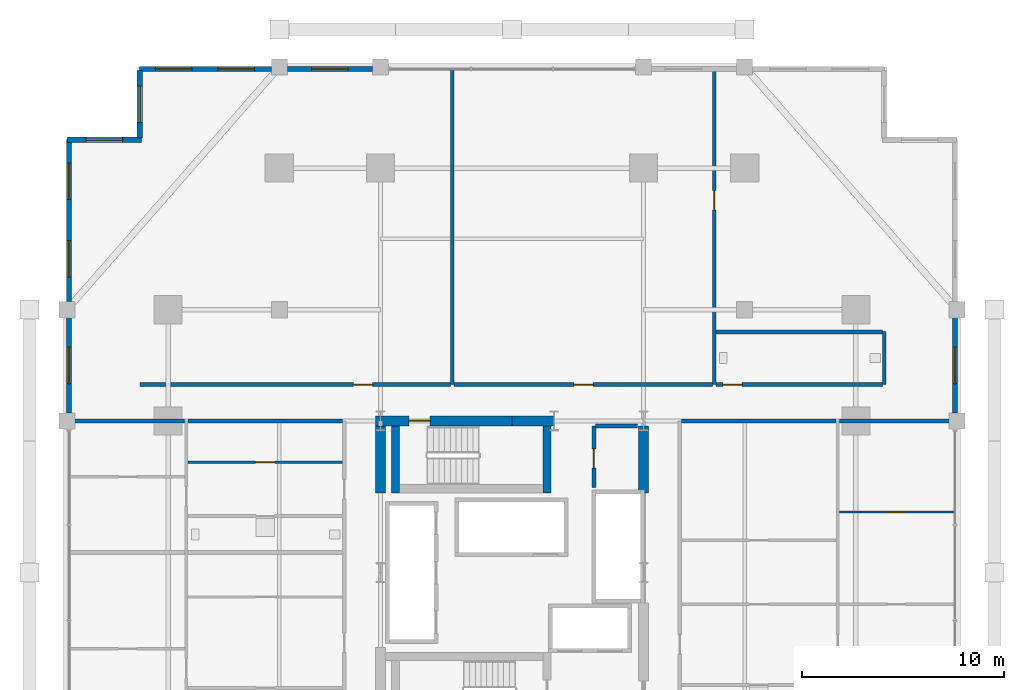
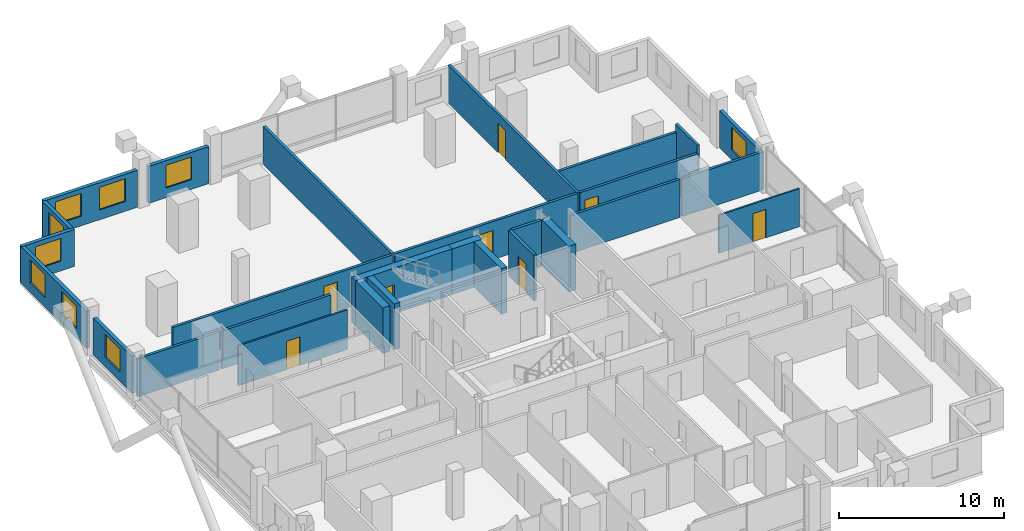
# One storey, part 20 of 23: 28 walls, 9 windows, 8 doors, 17 openings.
"""IFC4 building model written with IfcOpenShell, lengths in metres."""

from ifc_helpers import new_model, si_unit, direction, frame, frame_2d, origin, place, context, subcontext, project, spatial, rectangle, extrude, material, layer, layer_set, type_object, element, fill, save


model = new_model("IFC4")

# Units and contexts
model_context = context("Model", 3, precision=1e-05, world=origin(), true_north=direction((0.0, 1.0)))
body_context = subcontext(model_context, "Body", "Model", "MODEL_VIEW")
ifc_project = project(units=[si_unit("LENGTHUNIT", "METRE"), si_unit("AREAUNIT", "SQUARE_METRE"), si_unit("VOLUMEUNIT", "CUBIC_METRE"), si_unit("PLANEANGLEUNIT", "RADIAN"), si_unit("MASSUNIT", "GRAM", prefix="KILO")], contexts=[model_context])

# Site, building, storey
site_placement = place(None, origin())
site = spatial("IfcSite", under=ifc_project, at=site_placement, CompositionType="ELEMENT")
building_placement = place(site_placement, origin())
building = spatial("IfcBuilding", under=site, at=building_placement, Name="Barlavira Tower and Art Museum", CompositionType="ELEMENT")
storey_placement = place(building_placement, frame((0.0, 0.0, 36.0)))
storey = spatial("IfcBuildingStorey", under=building, at=storey_placement, Name="L07", CompositionType="ELEMENT", Elevation=36.0)

# Wall, opening, door
ifc_material_1 = material(Name="Gypsum acoustic stud partition", Category="gypsum")
ifc_layer_1 = layer(ifc_material_1, 0.1201171875, Name="Gypsum acoustic stud partition")
ifc_layer_set_1 = layer_set([ifc_layer_1], Name="Gypsum acoustic stud partition")
wall_type_1 = type_object("IfcWallType", Name="Apartment Internal Acoustic Partition 120", PredefinedType="PARTITIONING", material=ifc_layer_set_1)
wall_1_placement = place(storey_placement, frame((16.179931640625, 3.0, 0.0), z_axis=(0.0, 0.0, 1.0), x_axis=(1.0, 0.0, 0.0)))
wall_1 = element("IfcWall", 1, at=wall_1_placement, inside=storey, type_object=wall_type_1, Name="L07 Partition Wall 54", PredefinedType="PARTITIONING", context=body_context, shape_type="SweptSolid", body=[
    extrude(rectangle(XDim=5.64013671875, YDim=0.1201171875, at=frame_2d((2.820068359375, 0.0))), origin(), (0.0, 0.0, 1.0), 2.81591796875),
])
opening_1_placement = place(wall_1_placement, frame((2.3701171875, 0.0, 0.0)))
opening_1 = element("IfcOpeningElement", 2, at=opening_1_placement, cuts=wall_1, Name="Opening D-01", PredefinedType="OPENING", context=body_context, shape_type="SweptSolid", body=[
    extrude(rectangle(XDim=0.89990234375, YDim=2.10009765625, at=frame_2d((0.449951171875, 1.050048828125))), frame((0.0, 0.070068359375, 0.0), z_axis=(0.0, -1.0, 0.0), x_axis=(1.0, 0.0, 0.0)), (0.0, 0.0, 1.0), 0.14013671875),
])
ifc_material_2 = material(Name="Engineered coastal hardwood", Category="wood")
door_type_1 = type_object("IfcDoorType", Name="Internal Bedroom Timber Flush Door 900x2100", OperationType="NOTDEFINED", PredefinedType="DOOR", material=ifc_material_2)
door_1_placement = place(opening_1_placement, origin())
door_1 = element("IfcDoor", 3, at=door_1_placement, inside=storey, type_object=door_type_1, Name="Apartment E1 Bedroom 2 Door", OperationType="SINGLE_SWING_LEFT", OverallHeight=2.10009765625, OverallWidth=0.89990234375, PredefinedType="DOOR", context=body_context, shape_type="SweptSolid", body=[
    extrude(rectangle(XDim=0.89990234375, YDim=2.10009765625, at=frame_2d((0.449951171875, 1.050048828125))), frame((0.0, 0.02490234375, 0.0), z_axis=(0.0, -1.0, 0.0), x_axis=(1.0, 0.0, 0.0)), (0.0, 0.0, 1.0), 0.050048828125),
])
fill(opening_1, door_1)

wall_2_placement = place(storey_placement, frame((-16.02001953125, 5.449951171875, 0.0), z_axis=(0.0, 0.0, 1.0), x_axis=(1.0, 0.0, 0.0)))
wall_2 = element("IfcWall", 4, at=wall_2_placement, inside=storey, type_object=wall_type_1, Name="L07 Partition Wall 56", PredefinedType="PARTITIONING", context=body_context, shape_type="SweptSolid", body=[
    extrude(rectangle(XDim=7.64013671875, YDim=0.1201171875, at=frame_2d((3.820068359375, 0.0))), origin(), (0.0, 0.0, 1.0), 2.947998046875),
])
opening_2_placement = place(wall_2_placement, frame((3.344970703125, 0.0, 0.0)))
opening_2 = element("IfcOpeningElement", 5, at=opening_2_placement, cuts=wall_2, Name="Opening D-02", PredefinedType="OPENING", context=body_context, shape_type="SweptSolid", body=[
    extrude(rectangle(XDim=0.949951171875, YDim=2.10009765625, at=frame_2d((0.47509765625, 1.050048828125))), frame((0.0, 0.070068359375, 0.0), z_axis=(0.0, -1.0, 0.0), x_axis=(1.0, 0.0, 0.0)), (0.0, 0.0, 1.0), 0.14013671875),
])
door_type_2 = type_object("IfcDoorType", Name="Living and Salon Glazed-Leaf Door 950x2100", OperationType="NOTDEFINED", PredefinedType="DOOR", material=ifc_material_2)
door_2_placement = place(opening_2_placement, origin())
door_2 = element("IfcDoor", 6, at=door_2_placement, inside=storey, type_object=door_type_2, Name="Apartment W2 Kitchen Door", OperationType="SINGLE_SWING_RIGHT", OverallHeight=2.10009765625, OverallWidth=0.949951171875, PredefinedType="DOOR", context=body_context, shape_type="SweptSolid", body=[
    extrude(rectangle(XDim=0.949951171875, YDim=2.10009765625, at=frame_2d((0.47509765625, 1.050048828125))), frame((0.0, 0.02490234375, 0.0), z_axis=(0.0, -1.0, 0.0), x_axis=(1.0, 0.0, 0.0)), (0.0, 0.0, 1.0), 0.050048828125),
])
fill(opening_2, door_2)

ifc_material_3 = material(Name="Concrete C60", Category="concrete")
ifc_layer_2 = layer(ifc_material_3, 0.5, Name="Concrete C60")
ifc_layer_set_2 = layer_set([ifc_layer_2], Name="Concrete C60")
wall_type_2 = type_object("IfcWallType", Name="Core Structural Shear Wall 500 Concrete C60", PredefinedType="SHEAR", material=ifc_layer_set_2)
wall_3_placement = place(storey_placement, frame((-6.75, 7.5, 0.0), z_axis=(0.0, 0.0, 1.0), x_axis=(1.0, 0.0, 0.0)))
wall_3 = element("IfcWall", 7, at=wall_3_placement, inside=storey, type_object=wall_type_2, Name="L07 Core Shear Wall CS-NW", PredefinedType="SHEAR", context=body_context, shape_type="SweptSolid", body=[
    extrude(rectangle(XDim=6.75, YDim=0.5, at=frame_2d((3.375, 0.0))), origin(), (0.0, 0.0, 1.0), 3.3798828125),
])
opening_3_placement = place(wall_3_placement, frame((1.64990234375, 0.0, 0.0)))
opening_3 = element("IfcOpeningElement", 8, at=opening_3_placement, cuts=wall_3, Name="Opening FD-90", PredefinedType="OPENING", context=body_context, shape_type="SweptSolid", body=[
    extrude(rectangle(XDim=1.050048828125, YDim=2.14990234375, at=frame_2d((0.52490234375, 1.074951171875))), frame((0.0, 0.260009765625, 0.0), z_axis=(0.0, -1.0, 0.0), x_axis=(1.0, 0.0, 0.0)), (0.0, 0.0, 1.0), 0.52001953125),
])
ifc_material_4 = material(Name="Brushed stainless steel", Category="steel")
door_type_3 = type_object("IfcDoorType", Name="Stair and Refuge Fire Door 1050x2150 FD90S", OperationType="NOTDEFINED", PredefinedType="DOOR", material=ifc_material_4)
door_3_placement = place(opening_3_placement, origin())
door_3 = element("IfcDoor", 9, at=door_3_placement, inside=storey, type_object=door_type_3, Name="L07 Stair ST-T2 Fire Door", OperationType="SINGLE_SWING_LEFT", OverallHeight=2.14990234375, OverallWidth=1.050048828125, PredefinedType="DOOR", context=body_context, shape_type="SweptSolid", body=[
    extrude(rectangle(XDim=1.050048828125, YDim=2.14990234375, at=frame_2d((0.52490234375, 1.074951171875))), frame((0.0, 0.02490234375, 0.0), z_axis=(0.0, -1.0, 0.0), x_axis=(1.0, 0.0, 0.0)), (0.0, 0.0, 1.0), 0.050048828125),
])
fill(opening_3, door_3)

# Walls
wall_4_placement = place(storey_placement, frame((0.0, 7.5, 0.0), z_axis=(0.0, 0.0, 1.0), x_axis=(1.0, 0.0, 0.0)))
element("IfcWall", 10, at=wall_4_placement, inside=storey, type_object=wall_type_2, Name="L07 Core Shear Wall CS-EN", PredefinedType="SHEAR", context=body_context, shape_type="SweptSolid", body=[
    extrude(rectangle(XDim=2.080078125, YDim=0.5, at=frame_2d((1.0400390625, 0.0))), origin(), (0.0, 0.0, 1.0), 3.3798828125),
])
for number, where, z_axis, x_axis, name in (
    (11, (-6.5, 3.949951171875, 0.0), (0.0, 0.0, 1.0), (0.0, 1.0, 0.0), "L07 Core Shear Wall CS-W2"),
    (12, (6.5, 3.949951171875, 0.0), (0.0, 0.0, 1.0), (0.0, 1.0, 0.0), "L07 Core Shear Wall CS-E2"),
):
    element("IfcWall", number, at=place(storey_placement, frame(where, z_axis=z_axis, x_axis=x_axis)), inside=storey, type_object=wall_type_2, Name=name, PredefinedType="SHEAR", context=body_context, shape_type="SweptSolid", body=[
        extrude(rectangle(XDim=3.300048828125, YDim=0.5, at=frame_2d((1.64990234375, 0.0))), origin(), (0.0, 0.0, 1.0), 3.3798828125),
    ])

# Wall, opening, door
ifc_material_5 = material(Name="Autoclaved aerated concrete masonry", Category="masonry")
ifc_layer_3 = layer(ifc_material_5, 0.199951171875, Name="Autoclaved aerated concrete masonry")
ifc_layer_set_3 = layer_set([ifc_layer_3], Name="Autoclaved aerated concrete masonry")
wall_type_3 = type_object("IfcWallType", Name="Fire Compartment and Shaft Wall 200", PredefinedType="SOLIDWALL", material=ifc_layer_set_3)
wall_5_placement = place(storey_placement, frame((4.050048828125, 4.199951171875, 0.0), z_axis=(0.0, 0.0, 1.0), x_axis=(0.0, 1.0, 0.0)))
wall_5 = element("IfcWall", 13, at=wall_5_placement, inside=storey, type_object=wall_type_3, Name="L07 Partition Wall 12", PredefinedType="SOLIDWALL", context=body_context, shape_type="SweptSolid", body=[
    extrude(rectangle(XDim=3.050048828125, YDim=0.199951171875, at=frame_2d((1.52490234375, 0.0))), origin(), (0.0, 0.0, 1.0), 3.3798828125),
])
opening_4_placement = place(wall_5_placement, frame((0.97509765625, 0.0, 0.0)))
opening_4 = element("IfcOpeningElement", 14, at=opening_4_placement, cuts=wall_5, Name="Opening FD-60", PredefinedType="OPENING", context=body_context, shape_type="SweptSolid", body=[
    extrude(rectangle(XDim=0.949951171875, YDim=2.14990234375, at=frame_2d((0.47509765625, 1.074951171875))), frame((0.0, 0.10986328125, 0.0), z_axis=(0.0, -1.0, 0.0), x_axis=(1.0, 0.0, 0.0)), (0.0, 0.0, 1.0), 0.219970703125),
])
door_type_4 = type_object("IfcDoorType", Name="Apartment Entrance and Riser Fire Door 950x2150 FD60S", OperationType="NOTDEFINED", PredefinedType="DOOR", material=ifc_material_4)
door_4_placement = place(opening_4_placement, origin())
door_4 = element("IfcDoor", 15, at=door_4_placement, inside=storey, type_object=door_type_4, Name="Combined Electrical and Telecom Plant Room Door", OperationType="SINGLE_SWING_LEFT", OverallHeight=2.14990234375, OverallWidth=0.949951171875, PredefinedType="DOOR", context=body_context, shape_type="SweptSolid", body=[
    extrude(rectangle(XDim=0.949951171875, YDim=2.14990234375, at=frame_2d((0.47509765625, 1.074951171875))), frame((0.0, 0.02490234375, 0.0), z_axis=(0.0, -1.0, 0.0), x_axis=(1.0, 0.0, 0.0)), (0.0, 0.0, 1.0), 0.050048828125),
])
fill(opening_4, door_4)

# Walls
wall_6_placement = place(storey_placement, frame((4.1298828125, 7.25, 0.0), z_axis=(0.0, 0.0, 1.0), x_axis=(1.0, 0.0, 0.0)))
element("IfcWall", 16, at=wall_6_placement, inside=storey, type_object=wall_type_3, Name="L07 Partition Wall 57", PredefinedType="SOLIDWALL", context=body_context, shape_type="SweptSolid", body=[
    extrude(rectangle(XDim=2.070068359375, YDim=0.199951171875, at=frame_2d((1.03515625, 0.0))), origin(), (0.0, 0.0, 1.0), 3.3798828125),
])
ifc_layer_4 = layer(ifc_material_1, 0.179931640625, Name="Gypsum acoustic stud partition")
ifc_layer_set_4 = layer_set([ifc_layer_4], Name="Gypsum acoustic stud partition")
wall_type_4 = type_object("IfcWallType", Name="Inter-Tenancy Party Partition Wall 180", PredefinedType="PARTITIONING", material=ifc_layer_set_4)
wall_7_placement = place(storey_placement, frame((-2.949951171875, 9.300048828125, 0.0), z_axis=(0.0, 0.0, 1.0), x_axis=(0.0, 1.0, 0.0)))
element("IfcWall", 17, at=wall_7_placement, inside=storey, type_object=wall_type_4, Name="L07 Partition Wall 8", PredefinedType="PARTITIONING", context=body_context, shape_type="SweptSolid", body=[
    extrude(rectangle(XDim=15.599853515625, YDim=0.179931640625, at=frame_2d((7.7998046875, 0.0))), origin(), (0.0, 0.0, 1.0), 2.81591796875),
])

# Wall, opening, door
wall_8_placement = place(storey_placement, frame((10.0, 9.300048828125, 0.0), z_axis=(0.0, 0.0, 1.0), x_axis=(0.0, 1.0, 0.0)))
wall_8 = element("IfcWall", 18, at=wall_8_placement, inside=storey, type_object=wall_type_4, Name="L07 Partition Wall 15", PredefinedType="PARTITIONING", context=body_context, shape_type="SweptSolid", body=[
    extrude(rectangle(XDim=15.599853515625, YDim=0.179931640625, at=frame_2d((7.7998046875, 0.0))), origin(), (0.0, 0.0, 1.0), 2.81591796875),
])
opening_5_placement = place(wall_8_placement, frame((8.635009765625, 0.0, 0.0)))
opening_5 = element("IfcOpeningElement", 19, at=opening_5_placement, cuts=wall_8, Name="Opening FD-60", PredefinedType="OPENING", context=body_context, shape_type="SweptSolid", body=[
    extrude(rectangle(XDim=0.949951171875, YDim=2.14990234375, at=frame_2d((0.47509765625, 1.074951171875))), frame((0.0, 0.10009765625, 0.0), z_axis=(0.0, -1.0, 0.0), x_axis=(1.0, 0.0, 0.0)), (0.0, 0.0, 1.0), 0.199951171875),
])
door_5_placement = place(opening_5_placement, origin())
door_5 = element("IfcDoor", 20, at=door_5_placement, inside=storey, type_object=door_type_4, Name="Thermal Relaxation Lounge Door", OperationType="SINGLE_SWING_RIGHT", OverallHeight=2.14990234375, OverallWidth=0.949951171875, PredefinedType="DOOR", context=body_context, shape_type="SweptSolid", body=[
    extrude(rectangle(XDim=0.949951171875, YDim=2.14990234375, at=frame_2d((0.47509765625, 1.074951171875))), frame((0.0, 0.02490234375, 0.0), z_axis=(0.0, -1.0, 0.0), x_axis=(1.0, 0.0, 0.0)), (0.0, 0.0, 1.0), 0.050048828125),
])
fill(opening_5, door_5)

# Walls
wall_9_placement = place(storey_placement, frame((18.39990234375, 9.300048828125, 0.0), z_axis=(0.0, 0.0, 1.0), x_axis=(0.0, 1.0, 0.0)))
element("IfcWall", 21, at=wall_9_placement, inside=storey, type_object=wall_type_4, Name="L07 Partition Wall 20", PredefinedType="PARTITIONING", context=body_context, shape_type="SweptSolid", body=[
    extrude(rectangle(XDim=2.619873046875, YDim=0.179931640625, at=frame_2d((1.31005859375, 0.0))), origin(), (0.0, 0.0, 1.0), 3.3798828125),
])
wall_10_placement = place(storey_placement, frame((-21.89990234375, 7.5, 0.0), z_axis=(0.0, 0.0, 1.0), x_axis=(1.0, 0.0, 0.0)))
element("IfcWall", 22, at=wall_10_placement, inside=storey, type_object=wall_type_4, Name="L07 Partition Wall 58", PredefinedType="PARTITIONING", context=body_context, shape_type="SweptSolid", body=[
    extrude(rectangle(XDim=5.719970703125, YDim=0.179931640625, at=frame_2d((2.85986328125, 0.0))), origin(), (0.0, 0.0, 1.0), 2.81591796875),
])
for number, where, z_axis, x_axis, name in (
    (23, (-16.02001953125, 7.5, 0.0), (0.0, 0.0, 1.0), (1.0, 0.0, 0.0), "L07 Partition Wall 59"),
    (24, (8.3798828125, 7.5, 0.0), (0.0, 0.0, 1.0), (1.0, 0.0, 0.0), "L07 Partition Wall 60"),
):
    element("IfcWall", number, at=place(storey_placement, frame(where, z_axis=z_axis, x_axis=x_axis)), inside=storey, type_object=wall_type_4, Name=name, PredefinedType="PARTITIONING", context=body_context, shape_type="SweptSolid", body=[
        extrude(rectangle(XDim=7.64013671875, YDim=0.179931640625, at=frame_2d((3.820068359375, 0.0))), origin(), (0.0, 0.0, 1.0), 2.81591796875),
    ])
wall_11_placement = place(storey_placement, frame((16.179931640625, 7.5, 0.0), z_axis=(0.0, 0.0, 1.0), x_axis=(1.0, 0.0, 0.0)))
element("IfcWall", 25, at=wall_11_placement, inside=storey, type_object=wall_type_4, Name="L07 Partition Wall 61", PredefinedType="PARTITIONING", context=body_context, shape_type="SweptSolid", body=[
    extrude(rectangle(XDim=5.719970703125, YDim=0.179931640625, at=frame_2d((2.85986328125, 0.0))), origin(), (0.0, 0.0, 1.0), 2.81591796875),
])

# Wall, opening, door
wall_12_placement = place(storey_placement, frame((-18.39990234375, 9.300048828125, 0.0), z_axis=(0.0, 0.0, 1.0), x_axis=(1.0, 0.0, 0.0)))
wall_12 = element("IfcWall", 26, at=wall_12_placement, inside=storey, type_object=wall_type_4, Name="L07 Partition Wall 62", PredefinedType="PARTITIONING", context=body_context, shape_type="SweptSolid", body=[
    extrude(rectangle(XDim=15.369873046875, YDim=0.179931640625, at=frame_2d((7.68505859375, 0.0))), origin(), (0.0, 0.0, 1.0), 2.81591796875),
])
opening_6_placement = place(wall_12_placement, frame((10.554931640625, 0.0, 0.0)))
opening_6 = element("IfcOpeningElement", 27, at=opening_6_placement, cuts=wall_12, Name="Opening FD-60", PredefinedType="OPENING", context=body_context, shape_type="SweptSolid", body=[
    extrude(rectangle(XDim=0.949951171875, YDim=2.14990234375, at=frame_2d((0.47509765625, 1.074951171875))), frame((0.0, 0.10009765625, 0.0), z_axis=(0.0, -1.0, 0.0), x_axis=(1.0, 0.0, 0.0)), (0.0, 0.0, 1.0), 0.199951171875),
])
door_6_placement = place(opening_6_placement, origin())
door_6 = element("IfcDoor", 28, at=door_6_placement, inside=storey, type_object=door_type_4, Name="Resident Ocean-View Fitness Studio Door", OperationType="SINGLE_SWING_LEFT", OverallHeight=2.14990234375, OverallWidth=0.949951171875, PredefinedType="DOOR", context=body_context, shape_type="SweptSolid", body=[
    extrude(rectangle(XDim=0.949951171875, YDim=2.14990234375, at=frame_2d((0.47509765625, 1.074951171875))), frame((0.0, 0.02490234375, 0.0), z_axis=(0.0, -1.0, 0.0), x_axis=(1.0, 0.0, 0.0)), (0.0, 0.0, 1.0), 0.050048828125),
])
fill(opening_6, door_6)

wall_13_placement = place(storey_placement, frame((-2.8701171875, 9.300048828125, 0.0), z_axis=(0.0, 0.0, 1.0), x_axis=(1.0, 0.0, 0.0)))
wall_13 = element("IfcWall", 29, at=wall_13_placement, inside=storey, type_object=wall_type_4, Name="L07 Partition Wall 63", PredefinedType="PARTITIONING", context=body_context, shape_type="SweptSolid", body=[
    extrude(rectangle(XDim=12.7900390625, YDim=0.179931640625, at=frame_2d((6.39501953125, 0.0))), origin(), (0.0, 0.0, 1.0), 2.81591796875),
])
opening_7_placement = place(wall_13_placement, frame((5.925048828125, 0.0, 0.0)))
opening_7 = element("IfcOpeningElement", 30, at=opening_7_placement, cuts=wall_13, Name="Opening FD-60", PredefinedType="OPENING", context=body_context, shape_type="SweptSolid", body=[
    extrude(rectangle(XDim=0.949951171875, YDim=2.14990234375, at=frame_2d((0.47509765625, 1.074951171875))), frame((0.0, 0.10009765625, 0.0), z_axis=(0.0, -1.0, 0.0), x_axis=(1.0, 0.0, 0.0)), (0.0, 0.0, 1.0), 0.199951171875),
])
door_7_placement = place(opening_7_placement, origin())
door_7 = element("IfcDoor", 31, at=door_7_placement, inside=storey, type_object=door_type_4, Name="Coastal Hydrotherapy and Yoga Lounge Door", OperationType="SINGLE_SWING_RIGHT", OverallHeight=2.14990234375, OverallWidth=0.949951171875, PredefinedType="DOOR", context=body_context, shape_type="SweptSolid", body=[
    extrude(rectangle(XDim=0.949951171875, YDim=2.14990234375, at=frame_2d((0.47509765625, 1.074951171875))), frame((0.0, 0.02490234375, 0.0), z_axis=(0.0, -1.0, 0.0), x_axis=(1.0, 0.0, 0.0)), (0.0, 0.0, 1.0), 0.050048828125),
])
fill(opening_7, door_7)

wall_14_placement = place(storey_placement, frame((10.080078125, 9.300048828125, 0.0), z_axis=(0.0, 0.0, 1.0), x_axis=(1.0, 0.0, 0.0)))
wall_14 = element("IfcWall", 32, at=wall_14_placement, inside=storey, type_object=wall_type_4, Name="L07 Partition Wall 64", PredefinedType="PARTITIONING", context=body_context, shape_type="SweptSolid", body=[
    extrude(rectangle(XDim=8.239990234375, YDim=0.179931640625, at=frame_2d((4.1201171875, 0.0))), origin(), (0.0, 0.0, 1.0), 2.81591796875),
])
opening_8_placement = place(wall_14_placement, frame((0.344970703125, 0.0, 0.0)))
opening_8 = element("IfcOpeningElement", 33, at=opening_8_placement, cuts=wall_14, Name="Opening FD-60", PredefinedType="OPENING", context=body_context, shape_type="SweptSolid", body=[
    extrude(rectangle(XDim=0.949951171875, YDim=2.14990234375, at=frame_2d((0.47509765625, 1.074951171875))), frame((0.0, 0.10009765625, 0.0), z_axis=(0.0, -1.0, 0.0), x_axis=(1.0, 0.0, 0.0)), (0.0, 0.0, 1.0), 0.199951171875),
])
door_8_placement = place(opening_8_placement, origin())
door_8 = element("IfcDoor", 34, at=door_8_placement, inside=storey, type_object=door_type_4, Name="Wellness Changing and Accessible Shower WC Door", OperationType="SINGLE_SWING_LEFT", OverallHeight=2.14990234375, OverallWidth=0.949951171875, PredefinedType="DOOR", context=body_context, shape_type="SweptSolid", body=[
    extrude(rectangle(XDim=0.949951171875, YDim=2.14990234375, at=frame_2d((0.47509765625, 1.074951171875))), frame((0.0, 0.02490234375, 0.0), z_axis=(0.0, -1.0, 0.0), x_axis=(1.0, 0.0, 0.0)), (0.0, 0.0, 1.0), 0.050048828125),
])
fill(opening_8, door_8)

# Wall
wall_15_placement = place(storey_placement, frame((10.080078125, 11.89990234375, 0.0), z_axis=(0.0, 0.0, 1.0), x_axis=(1.0, 0.0, 0.0)))
element("IfcWall", 35, at=wall_15_placement, inside=storey, type_object=wall_type_4, Name="L07 Partition Wall 65", PredefinedType="PARTITIONING", context=body_context, shape_type="SweptSolid", body=[
    extrude(rectangle(XDim=8.239990234375, YDim=0.179931640625, at=frame_2d((4.1201171875, 0.0))), origin(), (0.0, 0.0, 1.0), 2.81591796875),
])

# Wall, opening, window
ifc_material_6 = material(Name="Precast concrete C40", Category="concrete")
ifc_layer_5 = layer(ifc_material_6, 0.25, Name="Precast concrete C40")
ifc_layer_set_5 = layer_set([ifc_layer_5], Name="Precast concrete C40")
wall_type_5 = type_object("IfcWallType", Name="Notched Corner Spandrel Wall 250 Precast Concrete C40", PredefinedType="SOLIDWALL", material=ifc_layer_set_5)
wall_16_placement = place(storey_placement, frame((-6.89501953125, 24.89990234375, 0.0), z_axis=(0.0, 0.0, 1.0), x_axis=(-1.0, 0.0, 0.0)))
wall_16 = element("IfcWall", 36, at=wall_16_placement, inside=storey, type_object=wall_type_5, Name="L07 Coastal Facade Pier Wall CW1-L07-N-4", PredefinedType="SOLIDWALL", context=body_context, shape_type="SweptSolid", body=[
    extrude(rectangle(XDim=4.2099609375, YDim=0.25, at=frame_2d((2.10498046875, 0.0))), origin(), (0.0, 0.0, 1.0), 2.736083984375),
])
opening_9_placement = place(wall_16_placement, frame((1.205078125, 0.0, 0.719970703125)))
opening_9 = element("IfcOpeningElement", 37, at=opening_9_placement, cuts=wall_16, Name="Opening WN-01", PredefinedType="OPENING", context=body_context, shape_type="SweptSolid", body=[
    extrude(rectangle(XDim=1.800048828125, YDim=1.679931640625, at=frame_2d((0.89990234375, 0.83984375))), frame((0.0, 0.135009765625, 0.0), z_axis=(0.0, -1.0, 0.0), x_axis=(1.0, 0.0, 0.0)), (0.0, 0.0, 1.0), 0.27001953125),
])
ifc_material_7 = material(Name="Low-iron coastal laminated glass", Category="glass")
window_type = type_object("IfcWindowType", Name="Recessed Notch Corner Punch Window 1800x1680", PartitioningType="SINGLE_PANEL", PredefinedType="WINDOW", material=ifc_material_7)
window_1_placement = place(opening_9_placement, origin())
window_1 = element("IfcWindow", 38, at=window_1_placement, inside=storey, type_object=window_type, Name="L07 Punched Facade Window EWP-CW1-L07-N-4-1", OverallHeight=1.679931640625, OverallWidth=1.800048828125, PartitioningType="SINGLE_PANEL", PredefinedType="WINDOW", context=body_context, shape_type="SweptSolid", body=[
    extrude(rectangle(XDim=1.800048828125, YDim=1.679931640625, at=frame_2d((0.89990234375, 0.83984375))), frame((0.0, 0.030029296875, 0.0), z_axis=(0.0, -1.0, 0.0), x_axis=(1.0, 0.0, 0.0)), (0.0, 0.0, 1.0), 0.06005859375),
])
fill(opening_9, window_1)

# Wall, openings, windows
wall_17_placement = place(storey_placement, frame((-11.89501953125, 24.89990234375, 0.0), z_axis=(0.0, 0.0, 1.0), x_axis=(-1.0, 0.0, 0.0)))
wall_17 = element("IfcWall", 39, at=wall_17_placement, inside=storey, type_object=wall_type_5, Name="L07 Coastal Facade Pier Wall CW1-L07-N-5", PredefinedType="SOLIDWALL", context=body_context, shape_type="SweptSolid", body=[
    extrude(rectangle(XDim=6.530029296875, YDim=0.25, at=frame_2d((3.26513671875, 0.0))), origin(), (0.0, 0.0, 1.0), 2.736083984375),
])
opening_10_placement = place(wall_17_placement, frame((0.845947265625, 0.0, 0.719970703125)))
opening_10 = element("IfcOpeningElement", 40, at=opening_10_placement, cuts=wall_17, Name="Opening WN-01", PredefinedType="OPENING", context=body_context, shape_type="SweptSolid", body=[
    extrude(rectangle(XDim=1.800048828125, YDim=1.679931640625, at=frame_2d((0.89990234375, 0.83984375))), frame((0.0, 0.135009765625, 0.0), z_axis=(0.0, -1.0, 0.0), x_axis=(1.0, 0.0, 0.0)), (0.0, 0.0, 1.0), 0.27001953125),
])
opening_11_placement = place(wall_17_placement, frame((3.928955078125, 0.0, 0.719970703125)))
opening_11 = element("IfcOpeningElement", 41, at=opening_11_placement, cuts=wall_17, Name="Opening WN-01", PredefinedType="OPENING", context=body_context, shape_type="SweptSolid", body=[
    extrude(rectangle(XDim=1.800048828125, YDim=1.679931640625, at=frame_2d((0.89990234375, 0.83984375))), frame((0.0, 0.135009765625, 0.0), z_axis=(0.0, -1.0, 0.0), x_axis=(1.0, 0.0, 0.0)), (0.0, 0.0, 1.0), 0.27001953125),
])
window_2_placement = place(opening_10_placement, origin())
window_2 = element("IfcWindow", 42, at=window_2_placement, inside=storey, type_object=window_type, Name="L07 Punched Facade Window EWP-CW1-L07-N-5-1", OverallHeight=1.679931640625, OverallWidth=1.800048828125, PartitioningType="SINGLE_PANEL", PredefinedType="WINDOW", context=body_context, shape_type="SweptSolid", body=[
    extrude(rectangle(XDim=1.800048828125, YDim=1.679931640625, at=frame_2d((0.89990234375, 0.83984375))), frame((0.0, 0.030029296875, 0.0), z_axis=(0.0, -1.0, 0.0), x_axis=(1.0, 0.0, 0.0)), (0.0, 0.0, 1.0), 0.06005859375),
])
fill(opening_10, window_2)
window_3_placement = place(opening_11_placement, origin())
window_3 = element("IfcWindow", 43, at=window_3_placement, inside=storey, type_object=window_type, Name="L07 Punched Facade Window EWP-CW1-L07-N-5-2", OverallHeight=1.679931640625, OverallWidth=1.800048828125, PartitioningType="SINGLE_PANEL", PredefinedType="WINDOW", context=body_context, shape_type="SweptSolid", body=[
    extrude(rectangle(XDim=1.800048828125, YDim=1.679931640625, at=frame_2d((0.89990234375, 0.83984375))), frame((0.0, 0.030029296875, 0.0), z_axis=(0.0, -1.0, 0.0), x_axis=(1.0, 0.0, 0.0)), (0.0, 0.0, 1.0), 0.06005859375),
])
fill(opening_11, window_3)

wall_18_placement = place(storey_placement, frame((-21.89990234375, 21.425048828125, 0.0), z_axis=(0.0, 0.0, 1.0), x_axis=(0.0, -1.0, 0.0)))
wall_18 = element("IfcWall", 44, at=wall_18_placement, inside=storey, type_object=wall_type_5, Name="L07 Coastal Facade Pier Wall CW1-L07-W-1", PredefinedType="SOLIDWALL", context=body_context, shape_type="SweptSolid", body=[
    extrude(rectangle(XDim=8.030029296875, YDim=0.25, at=frame_2d((4.01513671875, 0.0))), origin(), (0.0, 0.0, 1.0), 2.736083984375),
])
opening_12_placement = place(wall_18_placement, frame((1.176025390625, 0.0, 0.719970703125)))
opening_12 = element("IfcOpeningElement", 45, at=opening_12_placement, cuts=wall_18, Name="Opening WN-01", PredefinedType="OPENING", context=body_context, shape_type="SweptSolid", body=[
    extrude(rectangle(XDim=1.800048828125, YDim=1.679931640625, at=frame_2d((0.89990234375, 0.83984375))), frame((0.0, 0.135009765625, 0.0), z_axis=(0.0, -1.0, 0.0), x_axis=(1.0, 0.0, 0.0)), (0.0, 0.0, 1.0), 0.27001953125),
])
opening_13_placement = place(wall_18_placement, frame((5.009033203125, 0.0, 0.719970703125)))
opening_13 = element("IfcOpeningElement", 46, at=opening_13_placement, cuts=wall_18, Name="Opening WN-01", PredefinedType="OPENING", context=body_context, shape_type="SweptSolid", body=[
    extrude(rectangle(XDim=1.800048828125, YDim=1.679931640625, at=frame_2d((0.89990234375, 0.83984375))), frame((0.0, 0.135009765625, 0.0), z_axis=(0.0, -1.0, 0.0), x_axis=(1.0, 0.0, 0.0)), (0.0, 0.0, 1.0), 0.27001953125),
])
window_4_placement = place(opening_12_placement, origin())
window_4 = element("IfcWindow", 47, at=window_4_placement, inside=storey, type_object=window_type, Name="L07 Punched Facade Window EWP-CW1-L07-W-1-1", OverallHeight=1.679931640625, OverallWidth=1.800048828125, PartitioningType="SINGLE_PANEL", PredefinedType="WINDOW", context=body_context, shape_type="SweptSolid", body=[
    extrude(rectangle(XDim=1.800048828125, YDim=1.679931640625, at=frame_2d((0.89990234375, 0.83984375))), frame((0.0, 0.030029296875, 0.0), z_axis=(0.0, -1.0, 0.0), x_axis=(1.0, 0.0, 0.0)), (0.0, 0.0, 1.0), 0.06005859375),
])
fill(opening_12, window_4)
window_5_placement = place(opening_13_placement, origin())
window_5 = element("IfcWindow", 48, at=window_5_placement, inside=storey, type_object=window_type, Name="L07 Punched Facade Window EWP-CW1-L07-W-1-2", OverallHeight=1.679931640625, OverallWidth=1.800048828125, PartitioningType="SINGLE_PANEL", PredefinedType="WINDOW", context=body_context, shape_type="SweptSolid", body=[
    extrude(rectangle(XDim=1.800048828125, YDim=1.679931640625, at=frame_2d((0.89990234375, 0.83984375))), frame((0.0, 0.030029296875, 0.0), z_axis=(0.0, -1.0, 0.0), x_axis=(1.0, 0.0, 0.0)), (0.0, 0.0, 1.0), 0.06005859375),
])
fill(opening_13, window_5)

# Wall, opening, window
wall_19_placement = place(storey_placement, frame((-21.89990234375, 12.60498046875, 0.0), z_axis=(0.0, 0.0, 1.0), x_axis=(0.0, -1.0, 0.0)))
wall_19 = element("IfcWall", 49, at=wall_19_placement, inside=storey, type_object=wall_type_5, Name="L07 Coastal Facade Pier Wall CW1-L07-W-2", PredefinedType="SOLIDWALL", context=body_context, shape_type="SweptSolid", body=[
    extrude(rectangle(XDim=4.7099609375, YDim=0.25, at=frame_2d((2.35498046875, 0.0))), origin(), (0.0, 0.0, 1.0), 2.736083984375),
])
opening_14_placement = place(wall_19_placement, frame((1.455078125, 0.0, 0.719970703125)))
opening_14 = element("IfcOpeningElement", 50, at=opening_14_placement, cuts=wall_19, Name="Opening WN-01", PredefinedType="OPENING", context=body_context, shape_type="SweptSolid", body=[
    extrude(rectangle(XDim=1.800048828125, YDim=1.679931640625, at=frame_2d((0.89990234375, 0.83984375))), frame((0.0, 0.135009765625, 0.0), z_axis=(0.0, -1.0, 0.0), x_axis=(1.0, 0.0, 0.0)), (0.0, 0.0, 1.0), 0.27001953125),
])
window_6_placement = place(opening_14_placement, origin())
window_6 = element("IfcWindow", 51, at=window_6_placement, inside=storey, type_object=window_type, Name="L07 Punched Facade Window EWP-CW1-L07-W-2-1", OverallHeight=1.679931640625, OverallWidth=1.800048828125, PartitioningType="SINGLE_PANEL", PredefinedType="WINDOW", context=body_context, shape_type="SweptSolid", body=[
    extrude(rectangle(XDim=1.800048828125, YDim=1.679931640625, at=frame_2d((0.89990234375, 0.83984375))), frame((0.0, 0.030029296875, 0.0), z_axis=(0.0, -1.0, 0.0), x_axis=(1.0, 0.0, 0.0)), (0.0, 0.0, 1.0), 0.06005859375),
])
fill(opening_14, window_6)

wall_20_placement = place(storey_placement, frame((21.89990234375, 7.89501953125, 0.0), z_axis=(0.0, 0.0, 1.0), x_axis=(0.0, 1.0, 0.0)))
wall_20 = element("IfcWall", 52, at=wall_20_placement, inside=storey, type_object=wall_type_5, Name="L07 Coastal Facade Pier Wall CW1-L07-E-4", PredefinedType="SOLIDWALL", context=body_context, shape_type="SweptSolid", body=[
    extrude(rectangle(XDim=4.7099609375, YDim=0.25, at=frame_2d((2.35498046875, 0.0))), origin(), (0.0, 0.0, 1.0), 2.736083984375),
])
opening_15_placement = place(wall_20_placement, frame((1.455078125, 0.0, 0.719970703125)))
opening_15 = element("IfcOpeningElement", 53, at=opening_15_placement, cuts=wall_20, Name="Opening WN-01", PredefinedType="OPENING", context=body_context, shape_type="SweptSolid", body=[
    extrude(rectangle(XDim=1.800048828125, YDim=1.679931640625, at=frame_2d((0.89990234375, 0.83984375))), frame((0.0, 0.135009765625, 0.0), z_axis=(0.0, -1.0, 0.0), x_axis=(1.0, 0.0, 0.0)), (0.0, 0.0, 1.0), 0.27001953125),
])
window_7_placement = place(opening_15_placement, origin())
window_7 = element("IfcWindow", 54, at=window_7_placement, inside=storey, type_object=window_type, Name="L07 Punched Facade Window EWP-CW1-L07-E-4-1", OverallHeight=1.679931640625, OverallWidth=1.800048828125, PartitioningType="SINGLE_PANEL", PredefinedType="WINDOW", context=body_context, shape_type="SweptSolid", body=[
    extrude(rectangle(XDim=1.800048828125, YDim=1.679931640625, at=frame_2d((0.89990234375, 0.83984375))), frame((0.0, 0.030029296875, 0.0), z_axis=(0.0, -1.0, 0.0), x_axis=(1.0, 0.0, 0.0)), (0.0, 0.0, 1.0), 0.06005859375),
])
fill(opening_15, window_7)

wall_21_placement = place(storey_placement, frame((-18.39990234375, 24.820068359375, 0.0), z_axis=(0.0, 0.0, 1.0), x_axis=(0.0, -1.0, 0.0)))
wall_21 = element("IfcWall", 55, at=wall_21_placement, inside=storey, type_object=wall_type_5, Name="L07 Notch Corner Wall NW1", PredefinedType="SOLIDWALL", context=body_context, shape_type="SweptSolid", body=[
    extrude(rectangle(XDim=3.340087890625, YDim=0.25, at=frame_2d((1.669921875, 0.0))), origin(), (0.0, 0.0, 1.0), 2.736083984375),
])
opening_16_placement = place(wall_21_placement, frame((0.77001953125, 0.0, 0.719970703125)))
opening_16 = element("IfcOpeningElement", 56, at=opening_16_placement, cuts=wall_21, Name="Opening WN-01", PredefinedType="OPENING", context=body_context, shape_type="SweptSolid", body=[
    extrude(rectangle(XDim=1.800048828125, YDim=1.679931640625, at=frame_2d((0.89990234375, 0.83984375))), frame((0.0, 0.135009765625, 0.0), z_axis=(0.0, -1.0, 0.0), x_axis=(1.0, 0.0, 0.0)), (0.0, 0.0, 1.0), 0.27001953125),
])
window_8_placement = place(opening_16_placement, origin())
window_8 = element("IfcWindow", 57, at=window_8_placement, inside=storey, type_object=window_type, Name="L07 Punched Facade Window EW-NTC-L07-NW1-1", OverallHeight=1.679931640625, OverallWidth=1.800048828125, PartitioningType="SINGLE_PANEL", PredefinedType="WINDOW", context=body_context, shape_type="SweptSolid", body=[
    extrude(rectangle(XDim=1.800048828125, YDim=1.679931640625, at=frame_2d((0.89990234375, 0.83984375))), frame((0.0, 0.030029296875, 0.0), z_axis=(0.0, -1.0, 0.0), x_axis=(1.0, 0.0, 0.0)), (0.0, 0.0, 1.0), 0.06005859375),
])
fill(opening_16, window_8)

wall_22_placement = place(storey_placement, frame((-18.320068359375, 21.39990234375, 0.0), z_axis=(0.0, 0.0, 1.0), x_axis=(-1.0, 0.0, 0.0)))
wall_22 = element("IfcWall", 58, at=wall_22_placement, inside=storey, type_object=wall_type_5, Name="L07 Notch Corner Wall NW2", PredefinedType="SOLIDWALL", context=body_context, shape_type="SweptSolid", body=[
    extrude(rectangle(XDim=3.659912109375, YDim=0.25, at=frame_2d((1.830078125, 0.0))), origin(), (0.0, 0.0, 1.0), 2.736083984375),
])
opening_17_placement = place(wall_22_placement, frame((0.929931640625, 0.0, 0.719970703125)))
opening_17 = element("IfcOpeningElement", 59, at=opening_17_placement, cuts=wall_22, Name="Opening WN-01", PredefinedType="OPENING", context=body_context, shape_type="SweptSolid", body=[
    extrude(rectangle(XDim=1.800048828125, YDim=1.679931640625, at=frame_2d((0.89990234375, 0.83984375))), frame((0.0, 0.135009765625, 0.0), z_axis=(0.0, -1.0, 0.0), x_axis=(1.0, 0.0, 0.0)), (0.0, 0.0, 1.0), 0.27001953125),
])
window_9_placement = place(opening_17_placement, origin())
window_9 = element("IfcWindow", 60, at=window_9_placement, inside=storey, type_object=window_type, Name="L07 Punched Facade Window EW-NTC-L07-NW2-1", OverallHeight=1.679931640625, OverallWidth=1.800048828125, PartitioningType="SINGLE_PANEL", PredefinedType="WINDOW", context=body_context, shape_type="SweptSolid", body=[
    extrude(rectangle(XDim=1.800048828125, YDim=1.679931640625, at=frame_2d((0.89990234375, 0.83984375))), frame((0.0, 0.030029296875, 0.0), z_axis=(0.0, -1.0, 0.0), x_axis=(1.0, 0.0, 0.0)), (0.0, 0.0, 1.0), 0.06005859375),
])
fill(opening_17, window_9)

# Walls
ifc_material_8 = material(Name="Concrete C55", Category="concrete")
ifc_layer_6 = layer(ifc_material_8, 0.39990234375, Name="Concrete C55")
ifc_layer_set_6 = layer_set([ifc_layer_6], Name="Concrete C55")
wall_type_6 = type_object("IfcWallType", Name="Upper Core Shear Wall 400 Concrete C55", PredefinedType="SHEAR", material=ifc_layer_set_6)
for number, where, z_axis, x_axis, name in (
    (61, (1.72998046875, 3.949951171875, 0.0), (0.0, 0.0, 1.0), (0.0, 1.0, 0.0), "L07 ST-T2 East Half-Landing Wall"),
    (62, (-5.75, 3.949951171875, 0.0), (0.0, 0.0, 1.0), (0.0, 1.0, 0.0), "L07 ST-T2 West Shaft Wall"),
):
    element("IfcWall", number, at=place(storey_placement, frame(where, z_axis=z_axis, x_axis=x_axis)), inside=storey, type_object=wall_type_6, Name=name, PredefinedType="SHEAR", context=body_context, shape_type="SweptSolid", body=[
        extrude(rectangle(XDim=3.300048828125, YDim=0.39990234375, at=frame_2d((1.64990234375, 0.0))), origin(), (0.0, 0.0, 1.0), 3.3798828125),
    ])

save(model, "model.ifc")
